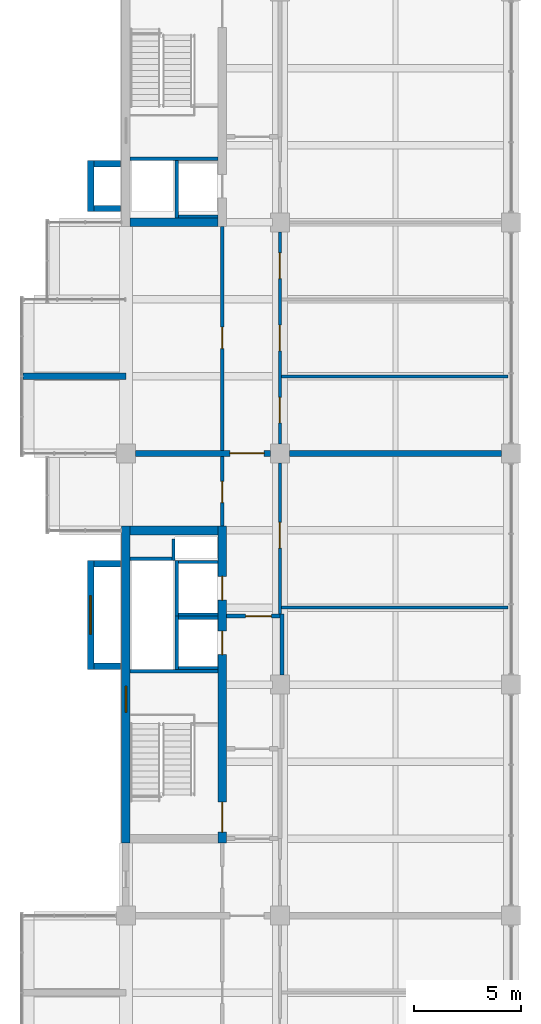
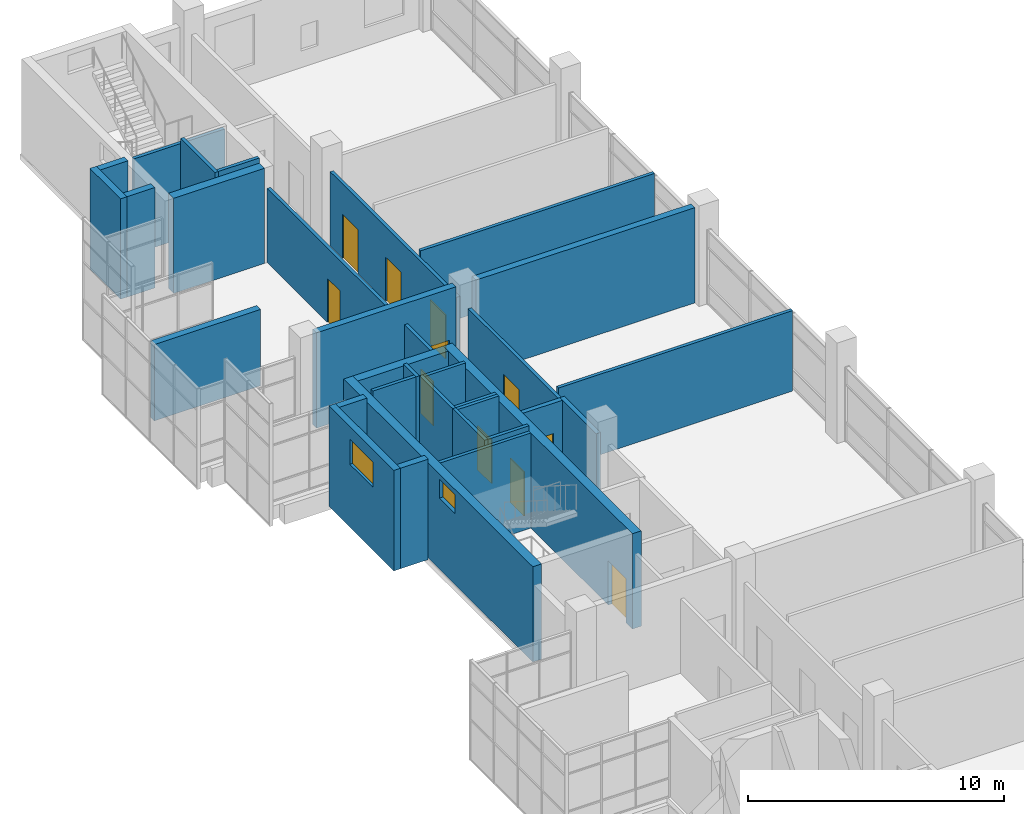
# One storey, part 13 of 15: 33 walls, 11 doors, 2 windows, 13 openings.
"""IFC4 building model written with IfcOpenShell, lengths in metres."""

import ifcopenshell
import ifcopenshell.guid

model = None  # the IFC model being written
_history = None  # IfcOwnerHistory: only IFC2X3 demands one
_inside = {}  # id of a spatial element -> (the spatial element, [elements in it])
_under = {}  # id of a project, library or spatial element -> (it, [spatial elements below it])
_declared = {}  # id of a project -> (the project, [libraries it declares])
_typed = {}  # id of a type object -> (the type object, [elements of that type])
_made_of = {}  # id of a material, layer set ... -> (it, [elements and type objects made of it])


def new_model(schema):
    """Start an empty IFC model of exactly this schema.

    Asked for "IFC4X3", IfcOpenShell would pick the latest addendum, in which some entities
    have other attributes; the version numbers below select the first issue.
    IFC2X3 requires an IfcOwnerHistory on every rooted entity: one is made here for all.
    """
    global model, _history
    if schema == "IFC4X3":
        model = ifcopenshell.file(schema_version=(4, 3, 0, 0))
    else:
        model = ifcopenshell.file(schema=schema)
    _inside.clear()
    _under.clear()
    _declared.clear()
    _typed.clear()
    _made_of.clear()
    _history = None
    if model.schema == "IFC2X3":
        org = make("IfcOrganization", Name="unknown")
        user = make(
            "IfcPersonAndOrganization",
            ThePerson=make("IfcPerson", FamilyName="unknown"),
            TheOrganization=org,
        )
        app = make(
            "IfcApplication",
            ApplicationDeveloper=org,
            Version="unknown",
            ApplicationFullName="unknown",
            ApplicationIdentifier="unknown",
        )
        _history = make(
            "IfcOwnerHistory",
            OwningUser=user,
            OwningApplication=app,
            ChangeAction="ADDED",
            CreationDate=0,
        )
    return model


def make(cls, **values):
    """One entity of the class cls with the attributes given. An attribute that is None is left unset."""
    return model.create_entity(
        cls, **{name: value for name, value in values.items() if value is not None}
    )


def rooted(cls, **values):
    """An entity with a GlobalId (a new one), such as an element, a storey or a relation."""
    return make(cls, GlobalId=ifcopenshell.guid.new(), OwnerHistory=_history, **values)


def si_unit(unit_type, name, prefix=None):
    """IfcSIUnit, for example si_unit("LENGTHUNIT", "METRE", prefix="MILLI")."""
    return make("IfcSIUnit", UnitType=unit_type, Prefix=prefix, Name=name)


def assignment(units):
    """IfcUnitAssignment: the units of a project."""
    return None if units is None else make("IfcUnitAssignment", Units=units)


def point(xyz):
    """IfcCartesianPoint."""
    return None if xyz is None else make("IfcCartesianPoint", Coordinates=xyz)


def direction(xyz):
    """IfcDirection."""
    return None if xyz is None else make("IfcDirection", DirectionRatios=xyz)


def frame(location, z_axis=None, x_axis=None):
    """IfcAxis2Placement3D, a coordinate frame: its origin and axes. An axis left out is left unset."""
    return make(
        "IfcAxis2Placement3D",
        Location=point(location),
        Axis=direction(z_axis),
        RefDirection=direction(x_axis),
    )


def frame_2d(location, x_axis=None):
    """IfcAxis2Placement2D, a coordinate frame in the plane: its origin and x axis."""
    return make(
        "IfcAxis2Placement2D", Location=point(location), RefDirection=direction(x_axis)
    )


def origin():
    """The frame at (0, 0, 0) with its axes left unset."""
    return frame((0.0, 0.0, 0.0))


def place(relative_to, where):
    """IfcLocalPlacement: puts the frame where relative to a parent placement (None: the world)."""
    return make(
        "IfcLocalPlacement", PlacementRelTo=relative_to, RelativePlacement=where
    )


def context(
    kind, dimensions, precision=None, world=None, true_north=None, identifier=None
):
    """IfcGeometricRepresentationContext, for example the 3D "Model" context."""
    return make(
        "IfcGeometricRepresentationContext",
        ContextIdentifier=identifier,
        ContextType=kind,
        CoordinateSpaceDimension=dimensions,
        Precision=precision,
        WorldCoordinateSystem=world,
        TrueNorth=true_north,
    )


def subcontext(parent, identifier, kind, view, scale=None):
    """IfcGeometricRepresentationSubContext, for example "Body" below "Model"."""
    return make(
        "IfcGeometricRepresentationSubContext",
        ContextIdentifier=identifier,
        ContextType=kind,
        ParentContext=parent,
        TargetScale=scale,
        TargetView=view,
    )


def project(units=None, contexts=None):
    """IfcProject with its units and contexts."""
    return rooted(
        "IfcProject",
        Name="project",
        RepresentationContexts=contexts,
        UnitsInContext=assignment(units),
    )


def spatial(cls, under=None, at=None, **own):
    """A site, building, storey or space (cls), placed at a placement, below another one or the project."""
    s = rooted(cls, ObjectPlacement=at, **own)
    if under is not None:
        _under.setdefault(under.id(), (under, []))[1].append(s)
    return s


def profile(cls, at=None, kind="AREA", **sizes):
    """A parametric profile (cls). Its sizes go by their IFC names, for example OverallWidth=200.0."""
    return make(cls, ProfileType=kind, Position=at, **sizes)


def rectangle(**sizes):
    """IfcRectangleProfileDef."""
    return profile("IfcRectangleProfileDef", **sizes)


def extrude(swept, where, along, depth):
    """IfcExtrudedAreaSolid: the profile swept, set in the frame where, extruded along a direction by depth."""
    return make(
        "IfcExtrudedAreaSolid",
        SweptArea=swept,
        Position=where,
        ExtrudedDirection=direction(along),
        Depth=depth,
    )


def shape(context_of_items, identifier, shape_type, items):
    """IfcShapeRepresentation: the items that make up one representation, for example the "Body"."""
    return make(
        "IfcShapeRepresentation",
        ContextOfItems=context_of_items,
        RepresentationIdentifier=identifier,
        RepresentationType=shape_type,
        Items=items,
    )


def material(Name=None, Category=None):
    """IfcMaterial."""
    return make("IfcMaterial", Name=Name, Category=Category)


def layer(
    of_material, thickness, ventilated=None, Name=None, Category=None, Priority=None
):
    """IfcMaterialLayer: one layer of a wall or slab, of a material (None: an air gap)."""
    return make(
        "IfcMaterialLayer",
        Material=of_material,
        LayerThickness=thickness,
        IsVentilated=ventilated,
        Name=Name,
        Category=Category,
        Priority=Priority,
    )


def layer_set(layers, Name=None):
    """IfcMaterialLayerSet."""
    return make("IfcMaterialLayerSet", MaterialLayers=layers, LayerSetName=Name)


def made_of(thing, what):
    """Note that an element or type object is made of a material, layer set ...; save() writes the relation."""
    if what is not None:
        _made_of.setdefault(what.id(), (what, []))[1].append(thing)
    return thing


def type_object(cls, material=None, **own):
    """A type object (cls), such as IfcWallType, which elements share."""
    return made_of(rooted(cls, **own), material)


def element(
    cls,
    number,
    at=None,
    inside=None,
    cuts=None,
    type_object=None,
    material=None,
    context=None,
    identifier="Body",
    shape_type=None,
    held_by="IfcProductDefinitionShape",
    body=None,
    shapes=None,
    **own,
):
    """One element of the class cls, such as IfcWall. Its Tag is "e" and its number.

    at: its placement. inside: the storey or other place that contains it. cuts: it is an
    opening in that element (IfcRelVoidsElement). A single representation is given by context,
    identifier, shape_type and body (its items); several are given by shapes. held_by: the class
    of the entity that holds the representations. save() writes the other relations.
    """
    e = rooted(cls, Tag="e%d" % number, ObjectPlacement=at, **own)
    if body is not None:
        shapes = [shape(context, identifier, shape_type, body)]
    if shapes is not None:
        e.Representation = make(held_by, Representations=shapes)
    if inside is not None:
        _inside.setdefault(inside.id(), (inside, []))[1].append(e)
    if cuts is not None:
        rooted(
            "IfcRelVoidsElement", RelatingBuildingElement=cuts, RelatedOpeningElement=e
        )
    if type_object is not None:
        _typed.setdefault(type_object.id(), (type_object, []))[1].append(e)
    return made_of(e, material)


def fill(opening, filler):
    """IfcRelFillsElement: the door or window that sits in an opening."""
    return rooted(
        "IfcRelFillsElement",
        RelatingOpeningElement=opening,
        RelatedBuildingElement=filler,
    )


def aggregate(whole, parts):
    """IfcRelAggregates: a whole, such as a stair, and the parts it consists of."""
    return rooted("IfcRelAggregates", RelatingObject=whole, RelatedObjects=parts)


def save(model, path):
    """Write the relations noted so far, then the file.

    IfcRelAggregates (storeys below a building ...), IfcRelContainedInSpatialStructure (elements
    in a storey), IfcRelDefinesByType, IfcRelAssociatesMaterial and IfcRelDeclares: one each for
    every whole, place, type object, material and project.
    """
    for whole, parts in _under.values():
        aggregate(whole, parts)
    for where, things in _inside.values():
        rooted(
            "IfcRelContainedInSpatialStructure",
            RelatedElements=things,
            RelatingStructure=where,
        )
    for kind, things in _typed.values():
        rooted("IfcRelDefinesByType", RelatedObjects=things, RelatingType=kind)
    for what, things in _made_of.values():
        rooted("IfcRelAssociatesMaterial", RelatedObjects=things, RelatingMaterial=what)
    for by, libraries in _declared.values():
        rooted("IfcRelDeclares", RelatingContext=by, RelatedDefinitions=libraries)
    model.write(path)


model = new_model("IFC4")

# Units and contexts
model_context = context("Model", 3, precision=1e-05, world=origin(), true_north=direction((0.0, 1.0)))
body_context = subcontext(model_context, "Body", "Model", "MODEL_VIEW")
ifc_project = project(units=[si_unit("LENGTHUNIT", "METRE"), si_unit("AREAUNIT", "SQUARE_METRE"), si_unit("VOLUMEUNIT", "CUBIC_METRE"), si_unit("PLANEANGLEUNIT", "RADIAN"), si_unit("MASSUNIT", "GRAM", prefix="KILO")], contexts=[model_context])

# Site, building, storey
site_placement = place(None, origin())
site = spatial("IfcSite", under=ifc_project, at=site_placement, CompositionType="ELEMENT")
building_placement = place(site_placement, origin())
building = spatial("IfcBuilding", under=site, at=building_placement, Name="Basin Gate Institute", CompositionType="ELEMENT")
storey_placement = place(building_placement, frame((0.0, 0.0, 55.800048828125)))
storey = spatial("IfcBuildingStorey", under=building, at=storey_placement, Name="L11", CompositionType="ELEMENT", Elevation=55.800048828125)

# Wall
ifc_material_1 = material(Name="Aluminium-faced insulated panel wall", Category="aluminium")
ifc_layer_1 = layer(ifc_material_1, 0.300048828125)
ifc_layer_set_1 = layer_set([ifc_layer_1], Name="Capsule side wall EW2 EI 120")
wall_type_1 = type_object("IfcWallType", Name="Capsule side wall EW2 EI 120", PredefinedType="STANDARD", material=ifc_layer_set_1)
wall_1_placement = place(storey_placement, frame((56.39990234375, 81.89990234375, 0.0), z_axis=(0.0, 0.0, 1.0), x_axis=(1.0, 0.0, 0.0)))
element("IfcWall", 1, at=wall_1_placement, inside=storey, type_object=wall_type_1, material=ifc_layer_set_1, Name="Capsule side wall W wing L11 line 14", PredefinedType="STANDARD", context=body_context, shape_type="SweptSolid", body=[
    extrude(rectangle(XDim=4.800048828125, YDim=0.300048828125, at=frame_2d((2.39990234375, 0.0))), origin(), (0.0, 0.0, 1.0), 3.64990234375),
])

# Wall, opening, door
ifc_material_2 = material(Name="Fire-rated masonry", Category="masonry")
ifc_layer_2 = layer(ifc_material_2, 0.199951171875)
ifc_layer_set_2 = layer_set([ifc_layer_2], Name="Enclosure wall PW2 200 EI 60")
wall_type_2 = type_object("IfcWallType", Name="Enclosure wall PW2 200 EI 60", PredefinedType="PARTITIONING", material=ifc_layer_set_2)
wall_2_placement = place(storey_placement, frame((65.89990234375, 70.699951171875, 0.0), z_axis=(0.0, 0.0, 1.0), x_axis=(1.0, 0.0, 0.0)))
wall_2 = element("IfcWall", 2, at=wall_2_placement, inside=storey, type_object=wall_type_2, material=ifc_layer_set_2, Name="Emergency lift lobby wall PW2 L11", PredefinedType="PARTITIONING", context=body_context, shape_type="SweptSolid", body=[
    extrude(rectangle(XDim=2.5, YDim=0.199951171875, at=frame_2d((1.25, 0.0))), origin(), (0.0, 0.0, 1.0), 3.550048828125),
])
opening_1_placement = place(wall_2_placement, frame((0.89990234375, 0.0, 0.0)))
opening_1 = element("IfcOpeningElement", 3, at=opening_1_placement, cuts=wall_2, Name="Opening DR477", PredefinedType="OPENING", context=body_context, shape_type="SweptSolid", body=[
    extrude(rectangle(XDim=1.199951171875, YDim=2.10009765625, at=frame_2d((0.60009765625, 1.050048828125))), frame((0.0, 0.10986328125, 0.0), z_axis=(0.0, -1.0, 0.0), x_axis=(1.0, 0.0, 0.0)), (0.0, 0.0, 1.0), 0.219970703125),
])
ifc_material_3 = material(Name="Steel fire door", Category="steel")
door_type_1 = type_object("IfcDoorType", Name="FD60 Emergency lift lobby door D9", OperationType="NOTDEFINED", PredefinedType="DOOR", material=ifc_material_3)
door_1_placement = place(opening_1_placement, frame((1.199951171875, 0.0, 0.0), z_axis=(0.0, 0.0, 1.0), x_axis=(-1.0, 0.0, 0.0)))
door_1 = element("IfcDoor", 4, at=door_1_placement, inside=storey, type_object=door_type_1, material=ifc_material_3, Name="Emergency lift lobby door LF1 L11", OperationType="SINGLE_SWING_LEFT", OverallHeight=2.10009765625, OverallWidth=1.199951171875, PredefinedType="DOOR", context=body_context, shape_type="SweptSolid", body=[
    extrude(rectangle(XDim=1.199951171875, YDim=2.10009765625, at=frame_2d((0.60009765625, 1.050048828125))), frame((0.0, 0.02490234375, 0.0), z_axis=(0.0, -1.0, 0.0), x_axis=(1.0, 0.0, 0.0)), (0.0, 0.0, 1.0), 0.050048828125),
])
fill(opening_1, door_1)

# Wall
wall_3_placement = place(storey_placement, frame((68.5, 67.949951171875, 0.0), z_axis=(0.0, 0.0, 1.0), x_axis=(0.0, 1.0, 0.0)))
element("IfcWall", 5, at=wall_3_placement, inside=storey, type_object=wall_type_2, material=ifc_layer_set_2, Name="Emergency lift lobby wall PW2 L11", PredefinedType="PARTITIONING", context=body_context, shape_type="SweptSolid", body=[
    extrude(rectangle(XDim=2.85009765625, YDim=0.199951171875, at=frame_2d((1.425048828125, 0.0))), origin(), (0.0, 0.0, 1.0), 3.550048828125),
])

# Wall, opening, door
ifc_material_4 = material(Name="Gypsum board on steel stud", Category="steel")
ifc_layer_3 = layer(ifc_material_4, 0.14990234375)
ifc_layer_set_3 = layer_set([ifc_layer_3], Name="Gypsum board on steel stud")
wall_type_3 = type_object("IfcWallType", Name="Partition PW1 150 EI 60", PredefinedType="PARTITIONING", material=ifc_layer_set_3)
wall_4_placement = place(storey_placement, frame((65.699951171875, 74.89990234375, 0.0), z_axis=(0.0, 0.0, 1.0), x_axis=(0.0, 1.0, 0.0)))
wall_4 = element("IfcWall", 6, at=wall_4_placement, inside=storey, type_object=wall_type_3, material=ifc_layer_set_3, Name="Corridor wall PW1 L11", PredefinedType="PARTITIONING", context=body_context, shape_type="SweptSolid", body=[
    extrude(rectangle(XDim=3.25, YDim=0.14990234375, at=frame_2d((1.625, 0.0))), origin(), (0.0, 0.0, 1.0), 3.550048828125),
])
opening_2_placement = place(wall_4_placement, frame((1.10009765625, 0.0, 0.0)))
opening_2 = element("IfcOpeningElement", 7, at=opening_2_placement, cuts=wall_4, Name="Opening DR465", PredefinedType="OPENING", context=body_context, shape_type="SweptSolid", body=[
    extrude(rectangle(XDim=1.0, YDim=2.10009765625, at=frame_2d((0.5, 1.050048828125))), frame((0.0, 0.0849609375, 0.0), z_axis=(0.0, -1.0, 0.0), x_axis=(1.0, 0.0, 0.0)), (0.0, 0.0, 1.0), 0.169921875),
])
ifc_material_5 = material(Name="Timber fire door", Category="wood")
door_type_2 = type_object("IfcDoorType", Name="FD30 Office door D1", OperationType="NOTDEFINED", PredefinedType="DOOR", material=ifc_material_5)
door_2_placement = place(opening_2_placement, origin())
door_2 = element("IfcDoor", 8, at=door_2_placement, inside=storey, type_object=door_type_2, material=ifc_material_5, Name="Door to Seminar Room 1105 L11", OperationType="SINGLE_SWING_LEFT", OverallHeight=2.10009765625, OverallWidth=1.0, PredefinedType="DOOR", context=body_context, shape_type="SweptSolid", body=[
    extrude(rectangle(XDim=1.0, YDim=2.10009765625, at=frame_2d((0.5, 1.050048828125))), frame((0.0, 0.02490234375, 0.0), z_axis=(0.0, -1.0, 0.0), x_axis=(1.0, 0.0, 0.0)), (0.0, 0.0, 1.0), 0.050048828125),
])
fill(opening_2, door_2)

wall_5_placement = place(storey_placement, frame((65.699951171875, 78.449951171875, 0.0), z_axis=(0.0, 0.0, 1.0), x_axis=(0.0, 1.0, 0.0)))
wall_5 = element("IfcWall", 9, at=wall_5_placement, inside=storey, type_object=wall_type_3, material=ifc_layer_set_3, Name="Corridor wall PW1 L11", PredefinedType="PARTITIONING", context=body_context, shape_type="SweptSolid", body=[
    extrude(rectangle(XDim=10.449951171875, YDim=0.14990234375, at=frame_2d((5.22509765625, 0.0))), origin(), (0.0, 0.0, 1.0), 3.550048828125),
])
opening_3_placement = place(wall_5_placement, frame((4.75, 0.0, 0.0)))
opening_3 = element("IfcOpeningElement", 10, at=opening_3_placement, cuts=wall_5, Name="Opening DR463", PredefinedType="OPENING", context=body_context, shape_type="SweptSolid", body=[
    extrude(rectangle(XDim=1.0, YDim=2.10009765625, at=frame_2d((0.5, 1.050048828125))), frame((0.0, 0.0849609375, 0.0), z_axis=(0.0, -1.0, 0.0), x_axis=(1.0, 0.0, 0.0)), (0.0, 0.0, 1.0), 0.169921875),
])
door_3_placement = place(opening_3_placement, origin())
door_3 = element("IfcDoor", 11, at=door_3_placement, inside=storey, type_object=door_type_2, material=ifc_material_5, Name="Door to Library Carrel Room 1106 L11", OperationType="SINGLE_SWING_LEFT", OverallHeight=2.10009765625, OverallWidth=1.0, PredefinedType="DOOR", context=body_context, shape_type="SweptSolid", body=[
    extrude(rectangle(XDim=1.0, YDim=2.10009765625, at=frame_2d((0.5, 1.050048828125))), frame((0.0, 0.02490234375, 0.0), z_axis=(0.0, -1.0, 0.0), x_axis=(1.0, 0.0, 0.0)), (0.0, 0.0, 1.0), 0.050048828125),
])
fill(opening_3, door_3)

wall_6_placement = place(storey_placement, frame((68.39990234375, 70.800048828125, 0.0), z_axis=(0.0, 0.0, 1.0), x_axis=(0.0, 1.0, 0.0)))
wall_6 = element("IfcWall", 12, at=wall_6_placement, inside=storey, type_object=wall_type_3, material=ifc_layer_set_3, Name="Laboratory corridor wall PW1 L11", PredefinedType="PARTITIONING", context=body_context, shape_type="SweptSolid", body=[
    extrude(rectangle(XDim=7.050048828125, YDim=0.14990234375, at=frame_2d((3.52490234375, 0.0))), origin(), (0.0, 0.0, 1.0), 3.550048828125),
])
opening_4_placement = place(wall_6_placement, frame((3.074951171875, 0.0, 0.0)))
opening_4 = element("IfcOpeningElement", 13, at=opening_4_placement, cuts=wall_6, Name="Opening DR472", PredefinedType="OPENING", context=body_context, shape_type="SweptSolid", body=[
    extrude(rectangle(XDim=1.199951171875, YDim=2.10009765625, at=frame_2d((0.60009765625, 1.050048828125))), frame((0.0, 0.0849609375, 0.0), z_axis=(0.0, -1.0, 0.0), x_axis=(1.0, 0.0, 0.0)), (0.0, 0.0, 1.0), 0.169921875),
])
ifc_material_6 = material(Name="Timber fire door", Category="wood")
door_type_3 = type_object("IfcDoorType", Name="FD30 Laboratory door D2", OperationType="DOUBLE_DOOR_SINGLE_SWING", PredefinedType="DOOR", material=ifc_material_6)
door_4_placement = place(opening_4_placement, frame((1.199951171875, 0.0, 0.0), z_axis=(0.0, 0.0, 1.0), x_axis=(-1.0, 0.0, 0.0)))
door_4 = element("IfcDoor", 14, at=door_4_placement, inside=storey, type_object=door_type_3, material=ifc_material_6, Name="Door to Write-up Office 1120 L11", OperationType="DOUBLE_DOOR_SINGLE_SWING", OverallHeight=2.10009765625, OverallWidth=1.199951171875, PredefinedType="DOOR", context=body_context, shape_type="SweptSolid", body=[
    extrude(rectangle(XDim=1.199951171875, YDim=2.10009765625, at=frame_2d((0.60009765625, 1.050048828125))), frame((0.0, 0.02490234375, 0.0), z_axis=(0.0, -1.0, 0.0), x_axis=(1.0, 0.0, 0.0)), (0.0, 0.0, 1.0), 0.050048828125),
])
fill(opening_4, door_4)

# Wall, openings, doors
wall_7_placement = place(storey_placement, frame((68.39990234375, 78.75, 0.0), z_axis=(0.0, 0.0, 1.0), x_axis=(0.0, 1.0, 0.0)))
wall_7 = element("IfcWall", 15, at=wall_7_placement, inside=storey, type_object=wall_type_3, material=ifc_layer_set_3, Name="Laboratory corridor wall PW1 L11", PredefinedType="PARTITIONING", context=body_context, shape_type="SweptSolid", body=[
    extrude(rectangle(XDim=9.89990234375, YDim=0.14990234375, at=frame_2d((4.949951171875, 0.0))), origin(), (0.0, 0.0, 1.0), 3.550048828125),
])
opening_5_placement = place(wall_7_placement, frame((0.97509765625, 0.0, 0.0)))
opening_5 = element("IfcOpeningElement", 16, at=opening_5_placement, cuts=wall_7, Name="Opening DR473", PredefinedType="OPENING", context=body_context, shape_type="SweptSolid", body=[
    extrude(rectangle(XDim=1.199951171875, YDim=2.10009765625, at=frame_2d((0.60009765625, 1.050048828125))), frame((0.0, 0.0849609375, 0.0), z_axis=(0.0, -1.0, 0.0), x_axis=(1.0, 0.0, 0.0)), (0.0, 0.0, 1.0), 0.169921875),
])
opening_6_placement = place(wall_7_placement, frame((4.35009765625, 0.0, 0.0)))
opening_6 = element("IfcOpeningElement", 17, at=opening_6_placement, cuts=wall_7, Name="Opening DR474", PredefinedType="OPENING", context=body_context, shape_type="SweptSolid", body=[
    extrude(rectangle(XDim=1.199951171875, YDim=2.10009765625, at=frame_2d((0.60009765625, 1.050048828125))), frame((0.0, 0.0849609375, 0.0), z_axis=(0.0, -1.0, 0.0), x_axis=(1.0, 0.0, 0.0)), (0.0, 0.0, 1.0), 0.169921875),
])
opening_7_placement = place(wall_7_placement, frame((7.72509765625, 0.0, 0.0)))
opening_7 = element("IfcOpeningElement", 18, at=opening_7_placement, cuts=wall_7, Name="Opening DR475", PredefinedType="OPENING", context=body_context, shape_type="SweptSolid", body=[
    extrude(rectangle(XDim=1.199951171875, YDim=2.10009765625, at=frame_2d((0.60009765625, 1.050048828125))), frame((0.0, 0.0849609375, 0.0), z_axis=(0.0, -1.0, 0.0), x_axis=(1.0, 0.0, 0.0)), (0.0, 0.0, 1.0), 0.169921875),
])
door_5_placement = place(opening_5_placement, frame((1.199951171875, 0.0, 0.0), z_axis=(0.0, 0.0, 1.0), x_axis=(-1.0, 0.0, 0.0)))
door_5 = element("IfcDoor", 19, at=door_5_placement, inside=storey, type_object=door_type_3, material=ifc_material_6, Name="Door to Write-up Office 1121 L11", OperationType="DOUBLE_DOOR_SINGLE_SWING", OverallHeight=2.10009765625, OverallWidth=1.199951171875, PredefinedType="DOOR", context=body_context, shape_type="SweptSolid", body=[
    extrude(rectangle(XDim=1.199951171875, YDim=2.10009765625, at=frame_2d((0.60009765625, 1.050048828125))), frame((0.0, 0.02490234375, 0.0), z_axis=(0.0, -1.0, 0.0), x_axis=(1.0, 0.0, 0.0)), (0.0, 0.0, 1.0), 0.050048828125),
])
fill(opening_5, door_5)
door_6_placement = place(opening_6_placement, frame((1.199951171875, 0.0, 0.0), z_axis=(0.0, 0.0, 1.0), x_axis=(-1.0, 0.0, 0.0)))
door_6 = element("IfcDoor", 20, at=door_6_placement, inside=storey, type_object=door_type_3, material=ifc_material_6, Name="Door to Write-up Office 1122 L11", OperationType="DOUBLE_DOOR_SINGLE_SWING", OverallHeight=2.10009765625, OverallWidth=1.199951171875, PredefinedType="DOOR", context=body_context, shape_type="SweptSolid", body=[
    extrude(rectangle(XDim=1.199951171875, YDim=2.10009765625, at=frame_2d((0.60009765625, 1.050048828125))), frame((0.0, 0.02490234375, 0.0), z_axis=(0.0, -1.0, 0.0), x_axis=(1.0, 0.0, 0.0)), (0.0, 0.0, 1.0), 0.050048828125),
])
fill(opening_6, door_6)
door_7_placement = place(opening_7_placement, frame((1.199951171875, 0.0, 0.0), z_axis=(0.0, 0.0, 1.0), x_axis=(-1.0, 0.0, 0.0)))
door_7 = element("IfcDoor", 21, at=door_7_placement, inside=storey, type_object=door_type_3, material=ifc_material_6, Name="Door to Write-up Office 1123 L11", OperationType="DOUBLE_DOOR_SINGLE_SWING", OverallHeight=2.10009765625, OverallWidth=1.199951171875, PredefinedType="DOOR", context=body_context, shape_type="SweptSolid", body=[
    extrude(rectangle(XDim=1.199951171875, YDim=2.10009765625, at=frame_2d((0.60009765625, 1.050048828125))), frame((0.0, 0.02490234375, 0.0), z_axis=(0.0, -1.0, 0.0), x_axis=(1.0, 0.0, 0.0)), (0.0, 0.0, 1.0), 0.050048828125),
])
fill(opening_7, door_7)

# Walls
for number, where, z_axis, x_axis, name in (
    (22, (68.47509765625, 71.10009765625, 0.0), (0.0, 0.0, 1.0), (1.0, 0.0, 0.0), "Laboratory partition PW1 L11"),
    (23, (68.47509765625, 81.89990234375, 0.0), (0.0, 0.0, 1.0), (1.0, 0.0, 0.0), "Laboratory partition PW1 L11"),
):
    element("IfcWall", number, at=place(storey_placement, frame(where, z_axis=z_axis, x_axis=x_axis)), inside=storey, type_object=wall_type_3, material=ifc_layer_set_3, Name=name, PredefinedType="PARTITIONING", context=body_context, shape_type="SweptSolid", body=[
        extrude(rectangle(XDim=10.574951171875, YDim=0.14990234375, at=frame_2d((5.28759765625, 0.0))), origin(), (0.0, 0.0, 1.0), 3.849853515625),
    ])
ifc_material_7 = material(Name="Concrete 40 MPa", Category="concrete")
ifc_layer_4 = layer(ifc_material_7, 0.14990234375)
ifc_layer_set_4 = layer_set([ifc_layer_4], Name="Concrete 40 MPa")
wall_type_4 = type_object("IfcWallType", Name="Wall LS1 lift shaft enclosure R120", PredefinedType="SOLIDWALL", material=ifc_layer_set_4)
wall_8_placement = place(storey_placement, frame((63.574951171875, 68.199951171875, 0.0), z_axis=(0.0, 0.0, 1.0), x_axis=(0.0, 1.0, 0.0)))
element("IfcWall", 24, at=wall_8_placement, inside=storey, type_object=wall_type_4, material=ifc_layer_set_4, Name="Lift shaft enclosure LF1 L11 UL", PredefinedType="SOLIDWALL", context=body_context, shape_type="SweptSolid", body=[
    extrude(rectangle(XDim=2.5, YDim=0.14990234375, at=frame_2d((1.25, 0.0))), origin(), (0.0, 0.0, 1.0), 4.800048828125),
])
for number, where, z_axis, x_axis, name in (
    (25, (63.64990234375, 68.27490234375, 0.0), (0.0, 0.0, 1.0), (1.0, 0.0, 0.0), "Lift shaft enclosure LF1 L11 RL"),
    (26, (63.64990234375, 70.625, 0.0), (0.0, 0.0, 1.0), (1.0, 0.0, 0.0), "Lift shaft enclosure LF1 L11 RH"),
):
    element("IfcWall", number, at=place(storey_placement, frame(where, z_axis=z_axis, x_axis=x_axis)), inside=storey, type_object=wall_type_4, material=ifc_layer_set_4, Name=name, PredefinedType="SOLIDWALL", context=body_context, shape_type="SweptSolid", body=[
        extrude(rectangle(XDim=1.85009765625, YDim=0.14990234375, at=frame_2d((0.925048828125, 0.0))), origin(), (0.0, 0.0, 1.0), 4.800048828125),
    ])
wall_9_placement = place(storey_placement, frame((63.574951171875, 70.699951171875, 0.0), z_axis=(0.0, 0.0, 1.0), x_axis=(0.0, 1.0, 0.0)))
element("IfcWall", 27, at=wall_9_placement, inside=storey, type_object=wall_type_4, material=ifc_layer_set_4, Name="Lift shaft enclosure LP2 L11 UL", PredefinedType="SOLIDWALL", context=body_context, shape_type="SweptSolid", body=[
    extrude(rectangle(XDim=2.60009765625, YDim=0.14990234375, at=frame_2d((1.300048828125, 0.0))), origin(), (0.0, 0.0, 1.0), 4.800048828125),
])
for number, where, z_axis, x_axis, name in (
    (28, (63.64990234375, 70.77490234375, 0.0), (0.0, 0.0, 1.0), (1.0, 0.0, 0.0), "Lift shaft enclosure LP2 L11 RL"),
    (29, (63.64990234375, 73.22509765625, 0.0), (0.0, 0.0, 1.0), (1.0, 0.0, 0.0), "Lift shaft enclosure LP2 L11 RH"),
):
    element("IfcWall", number, at=place(storey_placement, frame(where, z_axis=z_axis, x_axis=x_axis)), inside=storey, type_object=wall_type_4, material=ifc_layer_set_4, Name=name, PredefinedType="SOLIDWALL", context=body_context, shape_type="SweptSolid", body=[
        extrude(rectangle(XDim=1.85009765625, YDim=0.14990234375, at=frame_2d((0.925048828125, 0.0))), origin(), (0.0, 0.0, 1.0), 4.800048828125),
    ])
wall_10_placement = place(storey_placement, frame((63.574951171875, 92.0, 0.0), z_axis=(0.0, 0.0, 1.0), x_axis=(0.0, -1.0, 0.0)))
element("IfcWall", 30, at=wall_10_placement, inside=storey, type_object=wall_type_4, material=ifc_layer_set_4, Name="Lift shaft enclosure LP3 L11 UL", PredefinedType="SOLIDWALL", context=body_context, shape_type="SweptSolid", body=[
    extrude(rectangle(XDim=2.699951171875, YDim=0.14990234375, at=frame_2d((1.35009765625, 0.0))), origin(), (0.0, 0.0, 1.0), 4.800048828125),
])
wall_11_placement = place(storey_placement, frame((63.64990234375, 89.375, 0.0), z_axis=(0.0, 0.0, 1.0), x_axis=(1.0, 0.0, 0.0)))
element("IfcWall", 31, at=wall_11_placement, inside=storey, type_object=wall_type_4, material=ifc_layer_set_4, Name="Lift shaft enclosure LP3 L11 RH", PredefinedType="SOLIDWALL", context=body_context, shape_type="SweptSolid", body=[
    extrude(rectangle(XDim=1.85009765625, YDim=0.14990234375, at=frame_2d((0.925048828125, 0.0))), origin(), (0.0, 0.0, 1.0), 4.800048828125),
])
ifc_material_8 = material(Name="Concrete 40 MPa", Category="concrete")
ifc_layer_5 = layer(ifc_material_8, 0.14990234375)
ifc_layer_set_5 = layer_set([ifc_layer_5], Name="Concrete 40 MPa")
wall_type_5 = type_object("IfcWallType", Name="Wall RS1 riser shaft enclosure R120", PredefinedType="SOLIDWALL", material=ifc_layer_set_5)
wall_12_placement = place(storey_placement, frame((61.39990234375, 73.375, 0.0), z_axis=(0.0, 0.0, 1.0), x_axis=(1.0, 0.0, 0.0)))
element("IfcWall", 32, at=wall_12_placement, inside=storey, type_object=wall_type_5, material=ifc_layer_set_5, Name="Riser shaft enclosure WM L11 N", PredefinedType="SOLIDWALL", context=body_context, shape_type="SweptSolid", body=[
    extrude(rectangle(XDim=1.9501953125, YDim=0.14990234375, at=frame_2d((0.97509765625, 0.0))), origin(), (0.0, 0.0, 1.0), 4.800048828125),
])
wall_13_placement = place(storey_placement, frame((63.425048828125, 73.300048828125, 0.0), z_axis=(0.0, 0.0, 1.0), x_axis=(0.0, 1.0, 0.0)))
element("IfcWall", 33, at=wall_13_placement, inside=storey, type_object=wall_type_5, material=ifc_layer_set_5, Name="Riser shaft enclosure WM L11 W", PredefinedType="SOLIDWALL", context=body_context, shape_type="SweptSolid", body=[
    extrude(rectangle(XDim=1.0, YDim=0.14990234375, at=frame_2d((0.5, 0.0))), origin(), (0.0, 0.0, 1.0), 4.800048828125),
])
ifc_material_9 = material(Name="Concrete 40 MPa", Category="concrete")
ifc_layer_6 = layer(ifc_material_9, 0.14990234375)
ifc_layer_set_6 = layer_set([ifc_layer_6], Name="Concrete 40 MPa")
wall_type_6 = type_object("IfcWallType", Name="Wall SE1 stair enclosure R120", PredefinedType="SOLIDWALL", material=ifc_layer_set_6)
for number, where, z_axis, x_axis, name in (
    (34, (61.39990234375, 68.125, 0.0), (0.0, 0.0, 1.0), (1.0, 0.0, 0.0), "Stair enclosure wall ST-WM L11"),
    (35, (61.39990234375, 92.074951171875, 0.0), (0.0, 0.0, 1.0), (1.0, 0.0, 0.0), "Stair enclosure wall ST-WN L11"),
):
    element("IfcWall", number, at=place(storey_placement, frame(where, z_axis=z_axis, x_axis=x_axis)), inside=storey, type_object=wall_type_6, material=ifc_layer_set_6, Name=name, PredefinedType="SOLIDWALL", context=body_context, shape_type="SweptSolid", body=[
        extrude(rectangle(XDim=4.10009765625, YDim=0.14990234375, at=frame_2d((2.050048828125, 0.0))), origin(), (0.0, 0.0, 1.0), 4.550048828125),
    ])

# Wall, opening, window
ifc_material_10 = material(Name="Concrete 50 MPa", Category="concrete")
ifc_layer_7 = layer(ifc_material_10, 0.300048828125)
ifc_layer_set_7 = layer_set([ifc_layer_7], Name="Concrete 50 MPa")
wall_type_7 = type_object("IfcWallType", Name="Wall SK1 R120", PredefinedType="SHEAR", material=ifc_layer_set_7)
wall_14_placement = place(storey_placement, frame((59.550048828125, 68.199951171875, 0.0), z_axis=(0.0, 0.0, 1.0), x_axis=(0.0, 1.0, 0.0)))
wall_14 = element("IfcWall", 36, at=wall_14_placement, inside=storey, type_object=wall_type_7, material=ifc_layer_set_7, Name="Spine riser stack wall SK1 WM F L11", PredefinedType="SHEAR", context=body_context, shape_type="SweptSolid", body=[
    extrude(rectangle(XDim=5.10009765625, YDim=0.300048828125, at=frame_2d((2.550048828125, 0.0))), origin(), (0.0, 0.0, 1.0), 4.800048828125),
])
opening_8_placement = place(wall_14_placement, frame((1.64990234375, 0.0, 3.0)))
opening_8 = element("IfcOpeningElement", 37, at=opening_8_placement, cuts=wall_14, Name="Opening WL2", PredefinedType="OPENING", context=body_context, shape_type="SweptSolid", body=[
    extrude(rectangle(XDim=1.800048828125, YDim=1.199951171875, at=frame_2d((0.89990234375, 0.60009765625))), frame((0.0, 0.16015625, 0.0), z_axis=(0.0, -1.0, 0.0), x_axis=(1.0, 0.0, 0.0)), (0.0, 0.0, 1.0), 0.320068359375),
])
ifc_material_11 = material(Name="Aluminium louvre blades with fire damper", Category="aluminium")
window_type_1 = type_object("IfcWindowType", Name="Riser louvre EI 120 WL2", PartitioningType="SINGLE_PANEL", PredefinedType="WINDOW", material=ifc_material_11)
window_1_placement = place(opening_8_placement, origin())
window_1 = element("IfcWindow", 38, at=window_1_placement, inside=storey, type_object=window_type_1, material=ifc_material_11, Name="Riser louvre EI 120 WM riser 1 L11", OverallHeight=1.199951171875, OverallWidth=1.800048828125, PartitioningType="SINGLE_PANEL", PredefinedType="WINDOW", context=body_context, shape_type="SweptSolid", body=[
    extrude(rectangle(XDim=1.800048828125, YDim=1.199951171875, at=frame_2d((0.89990234375, 0.60009765625))), frame((0.0, 0.030029296875, 0.0), z_axis=(0.0, -1.0, 0.0), x_axis=(1.0, 0.0, 0.0)), (0.0, 0.0, 1.0), 0.06005859375),
])
fill(opening_8, window_1)

# Walls
for number, where, z_axis, x_axis, name in (
    (39, (60.949951171875, 68.35009765625, 0.0), (0.0, 0.0, 1.0), (-1.0, 0.0, 0.0), "Spine riser stack wall SK1 WM A L11"),
    (40, (60.949951171875, 73.14990234375, 0.0), (0.0, 0.0, 1.0), (-1.0, 0.0, 0.0), "Spine riser stack wall SK1 WM B L11"),
):
    element("IfcWall", number, at=place(storey_placement, frame(where, z_axis=z_axis, x_axis=x_axis)), inside=storey, type_object=wall_type_7, material=ifc_layer_set_7, Name=name, PredefinedType="SHEAR", context=body_context, shape_type="SweptSolid", body=[
        extrude(rectangle(XDim=1.25, YDim=0.300048828125, at=frame_2d((0.625, 0.0))), origin(), (0.0, 0.0, 1.0), 4.800048828125),
    ])
wall_15_placement = place(storey_placement, frame((59.550048828125, 89.60009765625, 0.0), z_axis=(0.0, 0.0, 1.0), x_axis=(0.0, 1.0, 0.0)))
element("IfcWall", 41, at=wall_15_placement, inside=storey, type_object=wall_type_7, material=ifc_layer_set_7, Name="Spine riser stack wall SK1 WN F L11", PredefinedType="SHEAR", context=body_context, shape_type="SweptSolid", body=[
    extrude(rectangle(XDim=2.39990234375, YDim=0.300048828125, at=frame_2d((1.199951171875, 0.0))), origin(), (0.0, 0.0, 1.0), 4.800048828125),
])
for number, where, z_axis, x_axis, name in (
    (42, (60.949951171875, 89.75, 0.0), (0.0, 0.0, 1.0), (-1.0, 0.0, 0.0), "Spine riser stack wall SK1 WN A L11"),
    (43, (60.949951171875, 91.85009765625, 0.0), (0.0, 0.0, 1.0), (-1.0, 0.0, 0.0), "Spine riser stack wall SK1 WN B L11"),
):
    element("IfcWall", number, at=place(storey_placement, frame(where, z_axis=z_axis, x_axis=x_axis)), inside=storey, type_object=wall_type_7, material=ifc_layer_set_7, Name=name, PredefinedType="SHEAR", context=body_context, shape_type="SweptSolid", body=[
        extrude(rectangle(XDim=1.25, YDim=0.300048828125, at=frame_2d((0.625, 0.0))), origin(), (0.0, 0.0, 1.0), 4.800048828125),
    ])

# Wall, opening, window
ifc_material_12 = material(Name="Concrete 50 MPa", Category="concrete")
ifc_layer_8 = layer(ifc_material_12, 0.39990234375)
ifc_layer_set_8 = layer_set([ifc_layer_8], Name="Concrete 50 MPa")
wall_type_8 = type_object("IfcWallType", Name="Wall SW2 R120", PredefinedType="SHEAR", material=ifc_layer_set_8)
wall_16_placement = place(storey_placement, frame((61.199951171875, 60.10009765625, 0.0), z_axis=(0.0, 0.0, 1.0), x_axis=(0.0, 1.0, 0.0)))
wall_16 = element("IfcWall", 44, at=wall_16_placement, inside=storey, type_object=wall_type_8, material=ifc_layer_set_8, Name="WALL/L11/WM/L", PredefinedType="SHEAR", context=body_context, shape_type="SweptSolid", body=[
    extrude(rectangle(XDim=14.7998046875, YDim=0.39990234375, at=frame_2d((7.39990234375, 0.0))), origin(), (0.0, 0.0, 1.0), 4.550048828125),
])
opening_9_placement = place(wall_16_placement, frame((6.110107421875, 0.0, 3.39990234375)))
opening_9 = element("IfcOpeningElement", 45, at=opening_9_placement, cuts=wall_16, Name="Opening WT2", PredefinedType="OPENING", context=body_context, shape_type="SweptSolid", body=[
    extrude(rectangle(XDim=1.199951171875, YDim=0.89990234375, at=frame_2d((0.60009765625, 0.449951171875))), frame((0.0, 0.2099609375, 0.0), z_axis=(0.0, -1.0, 0.0), x_axis=(1.0, 0.0, 0.0)), (0.0, 0.0, 1.0), 0.419921875),
])
ifc_material_13 = material(Name="Fire-resistant glazing in steel-free frame", Category="steel")
window_type_2 = type_object("IfcWindowType", Name="Rated stair window EI 120 WT2", PartitioningType="SINGLE_PANEL", PredefinedType="WINDOW", material=ifc_material_13)
window_2_placement = place(opening_9_placement, origin())
window_2 = element("IfcWindow", 46, at=window_2_placement, inside=storey, type_object=window_type_2, material=ifc_material_13, Name="Rated stair window EI 120 WM landing L11", OverallHeight=0.89990234375, OverallWidth=1.199951171875, PartitioningType="SINGLE_PANEL", PredefinedType="WINDOW", context=body_context, shape_type="SweptSolid", body=[
    extrude(rectangle(XDim=1.199951171875, YDim=0.89990234375, at=frame_2d((0.60009765625, 0.449951171875))), frame((0.0, 0.030029296875, 0.0), z_axis=(0.0, -1.0, 0.0), x_axis=(1.0, 0.0, 0.0)), (0.0, 0.0, 1.0), 0.06005859375),
])
fill(opening_9, window_2)

# Wall, openings, doors
wall_17_placement = place(storey_placement, frame((65.699951171875, 60.10009765625, 0.0), z_axis=(0.0, 0.0, 1.0), x_axis=(0.0, 1.0, 0.0)))
wall_17 = element("IfcWall", 47, at=wall_17_placement, inside=storey, type_object=wall_type_8, material=ifc_layer_set_8, Name="WALL/L11/WM/C", PredefinedType="SHEAR", context=body_context, shape_type="SweptSolid", body=[
    extrude(rectangle(XDim=14.7998046875, YDim=0.39990234375, at=frame_2d((7.39990234375, 0.0))), origin(), (0.0, 0.0, 1.0), 4.550048828125),
])
opening_10_placement = place(wall_17_placement, frame((0.5, 0.0, 0.0)))
opening_10 = element("IfcOpeningElement", 48, at=opening_10_placement, cuts=wall_17, Name="Opening DS062", PredefinedType="OPENING", context=body_context, shape_type="SweptSolid", body=[
    extrude(rectangle(XDim=1.39990234375, YDim=2.10009765625, at=frame_2d((0.699951171875, 1.050048828125))), frame((0.0, 0.2099609375, 0.0), z_axis=(0.0, -1.0, 0.0), x_axis=(1.0, 0.0, 0.0)), (0.0, 0.0, 1.0), 0.419921875),
])
opening_11_placement = place(wall_17_placement, frame((8.800048828125, 0.0, 0.0)))
opening_11 = element("IfcOpeningElement", 49, at=opening_11_placement, cuts=wall_17, Name="Opening LD031", PredefinedType="OPENING", context=body_context, shape_type="SweptSolid", body=[
    extrude(rectangle(XDim=1.10009765625, YDim=2.10009765625, at=frame_2d((0.550048828125, 1.050048828125))), frame((0.0, 0.2099609375, 0.0), z_axis=(0.0, -1.0, 0.0), x_axis=(1.0, 0.0, 0.0)), (0.0, 0.0, 1.0), 0.419921875),
])
opening_12_placement = place(wall_17_placement, frame((11.35009765625, 0.0, 0.0)))
opening_12 = element("IfcOpeningElement", 50, at=opening_12_placement, cuts=wall_17, Name="Opening LD049", PredefinedType="OPENING", context=body_context, shape_type="SweptSolid", body=[
    extrude(rectangle(XDim=1.10009765625, YDim=2.10009765625, at=frame_2d((0.550048828125, 1.050048828125))), frame((0.0, 0.2099609375, 0.0), z_axis=(0.0, -1.0, 0.0), x_axis=(1.0, 0.0, 0.0)), (0.0, 0.0, 1.0), 0.419921875),
])
ifc_material_14 = material(Name="Steel fire door", Category="steel")
door_type_4 = type_object("IfcDoorType", Name="FD30 Stair enclosure door DS", OperationType="DOUBLE_DOOR_SINGLE_SWING", PredefinedType="DOOR", material=ifc_material_14)
door_8_placement = place(opening_10_placement, origin())
door_8 = element("IfcDoor", 51, at=door_8_placement, inside=storey, type_object=door_type_4, material=ifc_material_14, Name="Stair enclosure door ST-WM L11", OperationType="DOUBLE_DOOR_SINGLE_SWING", OverallHeight=2.10009765625, OverallWidth=1.39990234375, PredefinedType="DOOR", context=body_context, shape_type="SweptSolid", body=[
    extrude(rectangle(XDim=1.39990234375, YDim=2.10009765625, at=frame_2d((0.699951171875, 1.050048828125))), frame((0.0, 0.02490234375, 0.0), z_axis=(0.0, -1.0, 0.0), x_axis=(1.0, 0.0, 0.0)), (0.0, 0.0, 1.0), 0.050048828125),
])
fill(opening_10, door_8)
ifc_material_15 = material(Name="Stainless steel", Category="steel")
door_type_5 = type_object("IfcDoorType", Name="FD60 Lift landing door LD", OperationType="SLIDING_TO_LEFT", PredefinedType="DOOR", material=ifc_material_15)
door_9_placement = place(opening_11_placement, origin())
door_9 = element("IfcDoor", 52, at=door_9_placement, inside=storey, type_object=door_type_5, material=ifc_material_15, Name="Lift landing door LF1 L11", OperationType="SLIDING_TO_LEFT", OverallHeight=2.10009765625, OverallWidth=1.10009765625, PredefinedType="DOOR", context=body_context, shape_type="SweptSolid", body=[
    extrude(rectangle(XDim=1.10009765625, YDim=2.10009765625, at=frame_2d((0.550048828125, 1.050048828125))), frame((0.0, 0.02490234375, 0.0), z_axis=(0.0, -1.0, 0.0), x_axis=(1.0, 0.0, 0.0)), (0.0, 0.0, 1.0), 0.050048828125),
])
fill(opening_11, door_9)
door_10_placement = place(opening_12_placement, origin())
door_10 = element("IfcDoor", 53, at=door_10_placement, inside=storey, type_object=door_type_5, material=ifc_material_15, Name="Lift landing door LP2 L11", OperationType="SLIDING_TO_LEFT", OverallHeight=2.10009765625, OverallWidth=1.10009765625, PredefinedType="DOOR", context=body_context, shape_type="SweptSolid", body=[
    extrude(rectangle(XDim=1.10009765625, YDim=2.10009765625, at=frame_2d((0.550048828125, 1.050048828125))), frame((0.0, 0.02490234375, 0.0), z_axis=(0.0, -1.0, 0.0), x_axis=(1.0, 0.0, 0.0)), (0.0, 0.0, 1.0), 0.050048828125),
])
fill(opening_12, door_10)

# Walls
for number, where, z_axis, x_axis, name in (
    (54, (61.39990234375, 74.699951171875, 0.0), (0.0, 0.0, 1.0), (1.0, 0.0, 0.0), "WALL/L11/WM/N"),
    (55, (61.39990234375, 89.10009765625, 0.0), (0.0, 0.0, 1.0), (1.0, 0.0, 0.0), "WALL/L11/WN/S"),
):
    element("IfcWall", number, at=place(storey_placement, frame(where, z_axis=z_axis, x_axis=x_axis)), inside=storey, type_object=wall_type_8, material=ifc_layer_set_8, Name=name, PredefinedType="SHEAR", context=body_context, shape_type="SweptSolid", body=[
        extrude(rectangle(XDim=4.10009765625, YDim=0.39990234375, at=frame_2d((2.050048828125, 0.0))), origin(), (0.0, 0.0, 1.0), 4.550048828125),
    ])

# Wall, opening, door
ifc_material_16 = material(Name="Concrete 50 MPa", Category="concrete")
ifc_layer_9 = layer(ifc_material_16, 0.300048828125)
ifc_layer_set_9 = layer_set([ifc_layer_9], Name="Concrete 50 MPa")
wall_type_9 = type_object("IfcWallType", Name="Wall XW1 R120", PredefinedType="SHEAR", material=ifc_layer_set_9)
wall_18_placement = place(storey_placement, frame((61.64990234375, 78.300048828125, 0.0), z_axis=(0.0, 0.0, 1.0), x_axis=(1.0, 0.0, 0.0)))
wall_18 = element("IfcWall", 56, at=wall_18_placement, inside=storey, type_object=wall_type_9, material=ifc_layer_set_9, Name="WALL/L11/WXE/1", PredefinedType="SHEAR", context=body_context, shape_type="SweptSolid", body=[
    extrude(rectangle(XDim=6.300048828125, YDim=0.300048828125, at=frame_2d((3.14990234375, 0.0))), origin(), (0.0, 0.0, 1.0), 4.550048828125),
])
opening_13_placement = place(wall_18_placement, frame((4.41259765625, 0.0, 0.0)))
opening_13 = element("IfcOpeningElement", 57, at=opening_13_placement, cuts=wall_18, Name="Opening DR483", PredefinedType="OPENING", context=body_context, shape_type="SweptSolid", body=[
    extrude(rectangle(XDim=1.60009765625, YDim=2.10009765625, at=frame_2d((0.800048828125, 1.050048828125))), frame((0.0, 0.16015625, 0.0), z_axis=(0.0, -1.0, 0.0), x_axis=(1.0, 0.0, 0.0)), (0.0, 0.0, 1.0), 0.320068359375),
])
ifc_material_17 = material(Name="Steel fire door", Category="steel")
door_type_6 = type_object("IfcDoorType", Name="FD60 Compartment door pair D7", OperationType="DOUBLE_DOOR_SINGLE_SWING", PredefinedType="DOOR", material=ifc_material_17)
door_11_placement = place(opening_13_placement, frame((1.60009765625, 0.0, 0.0), z_axis=(0.0, 0.0, 1.0), x_axis=(-1.0, 0.0, 0.0)))
door_11 = element("IfcDoor", 58, at=door_11_placement, inside=storey, type_object=door_type_6, material=ifc_material_17, Name="Compartment door pair L11 W2 L11", OperationType="DOUBLE_DOOR_SINGLE_SWING", OverallHeight=2.10009765625, OverallWidth=1.60009765625, PredefinedType="DOOR", context=body_context, shape_type="SweptSolid", body=[
    extrude(rectangle(XDim=1.60009765625, YDim=2.10009765625, at=frame_2d((0.800048828125, 1.050048828125))), frame((0.0, 0.02490234375, 0.0), z_axis=(0.0, -1.0, 0.0), x_axis=(1.0, 0.0, 0.0)), (0.0, 0.0, 1.0), 0.050048828125),
])
fill(opening_13, door_11)

# Wall
wall_19_placement = place(storey_placement, frame((68.85009765625, 78.300048828125, 0.0), z_axis=(0.0, 0.0, 1.0), x_axis=(1.0, 0.0, 0.0)))
element("IfcWall", 59, at=wall_19_placement, inside=storey, type_object=wall_type_9, material=ifc_layer_set_9, Name="WALL/L11/WXE/2", PredefinedType="SHEAR", context=body_context, shape_type="SweptSolid", body=[
    extrude(rectangle(XDim=9.89990234375, YDim=0.300048828125, at=frame_2d((4.949951171875, 0.0))), origin(), (0.0, 0.0, 1.0), 4.550048828125),
])

save(model, "model.ifc")
